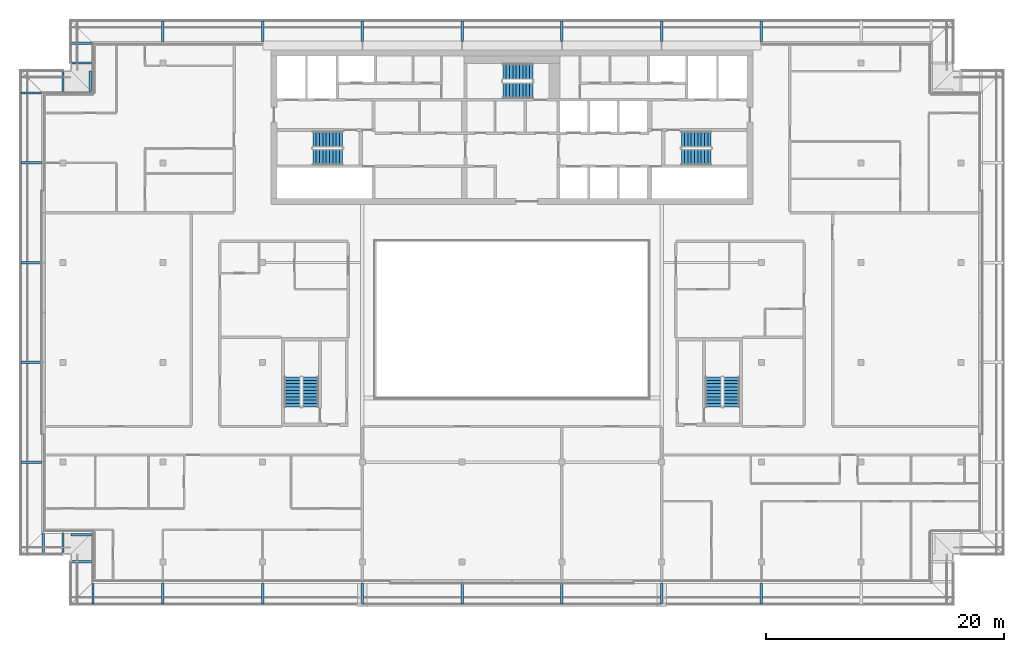
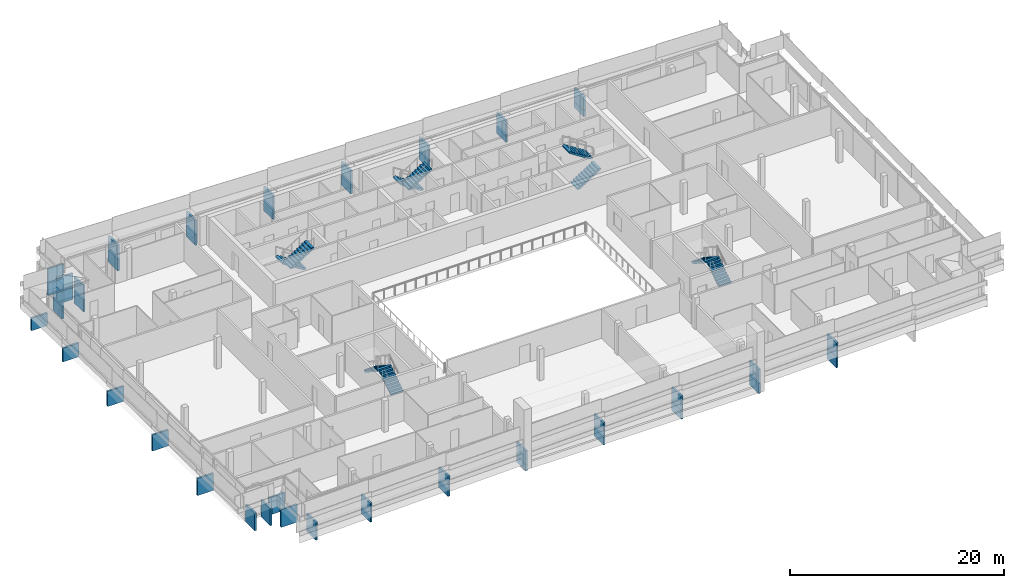
# One storey, part 23 of 33: 47 discrete accessories, 10 stair flights, 5 elements without a shape of their own.
"""IFC4 building model written with IfcOpenShell, lengths in metres."""

from ifc_helpers import new_model, si_unit, direction, frame, origin, origin_2d, place, context, subcontext, project, spatial, polyline, rectangle, outline, extrude, material, type_object, element, aggregate, save


model = new_model("IFC4")

# Units and contexts
model_context = context("Model", 3, precision=1e-05, world=origin(), true_north=direction((0.0, 1.0)))
body_context = subcontext(model_context, "Body", "Model", "MODEL_VIEW")
ifc_project = project(units=[si_unit("LENGTHUNIT", "METRE"), si_unit("AREAUNIT", "SQUARE_METRE"), si_unit("VOLUMEUNIT", "CUBIC_METRE"), si_unit("PLANEANGLEUNIT", "RADIAN"), si_unit("MASSUNIT", "GRAM", prefix="KILO")], contexts=[model_context])

# Site, building, storey
site_placement = place(None, origin())
site = spatial("IfcSite", under=ifc_project, at=site_placement, CompositionType="ELEMENT")
building_placement = place(site_placement, origin())
building = spatial("IfcBuilding", under=site, at=building_placement, Name="Saffron Gate Tower", CompositionType="ELEMENT")
storey_placement = place(building_placement, frame((0.0, 0.0, 263.550048828125)))
storey = spatial("IfcBuildingStorey", under=building, at=storey_placement, Name="L63", CompositionType="ELEMENT", Elevation=263.550048828125)

# Stair, stair flights
ifc_material = material(Name="Concrete C40", Category="concrete")
stair_type = type_object("IfcStairType", Name="ST7 Stair 1350 wide, 20 risers of 180", PredefinedType="HALF_TURN_STAIR", material=ifc_material)
stair_1_placement = place(storey_placement, origin())
stair_1 = element("IfcStair", 1, at=stair_1_placement, inside=storey, type_object=stair_type, Name="L63 Exit stair A", PredefinedType="HALF_TURN_STAIR")
stair_flight_type = type_object("IfcStairFlightType", Name="SF3 Stair flight 1350 wide, riser 180 going 280", PredefinedType="STRAIGHT", material=ifc_material)
stair_flight_1_placement = place(storey_placement, frame((73.35009765625, 67.375, 0.0), z_axis=(0.0, 0.0, 1.0), x_axis=(-1.0, 0.0, 0.0)))
stair_flight_1 = element("IfcStairFlight", 2, at=stair_flight_1_placement, type_object=stair_flight_type, Name="ST-A flight 1", NumberOfRisers=10, NumberOfTreads=9, PredefinedType="STRAIGHT", RiserHeight=0.18, TreadLength=0.28, context=body_context, shape_type="SweptSolid", body=[
    extrude(outline(polyline([(0.0, 0.0), (0.0, 0.179931640625), (0.280029296875, 0.179931640625), (0.280029296875, 0.360107421875), (0.56005859375, 0.360107421875), (0.56005859375, 0.5400390625), (0.840087890625, 0.5400390625), (0.840087890625, 0.719970703125), (1.1201171875, 0.719970703125), (1.1201171875, 0.89990234375), (1.39990234375, 0.89990234375), (1.39990234375, 1.080078125), (1.679931640625, 1.080078125), (1.679931640625, 1.260009765625), (1.9599609375, 1.260009765625), (1.9599609375, 1.43994140625), (2.239990234375, 1.43994140625), (2.239990234375, 1.6201171875), (2.52001953125, 1.6201171875), (2.52001953125, 1.800048828125), (2.52001953125, 1.44189453125), (0.277099609375, 0.0), (0.0, 0.0)])), frame((0.0, 0.675048828125, 0.0), z_axis=(0.0, -1.0, 0.0), x_axis=(1.0, 0.0, 0.0)), (0.0, 0.0, 1.0), 1.35009765625),
])
stair_flight_2_placement = place(storey_placement, frame((70.830078125, 65.875, 1.800048828125), z_axis=(0.0, 0.0, 1.0), x_axis=(1.0, 0.0, 0.0)))
stair_flight_2 = element("IfcStairFlight", 3, at=stair_flight_2_placement, type_object=stair_flight_type, Name="ST-A flight 2", NumberOfRisers=10, NumberOfTreads=9, PredefinedType="STRAIGHT", RiserHeight=0.18, TreadLength=0.28, context=body_context, shape_type="SweptSolid", body=[
    extrude(outline(polyline([(0.0, 0.0), (0.0, 0.179931640625), (0.280029296875, 0.179931640625), (0.280029296875, 0.360107421875), (0.56005859375, 0.360107421875), (0.56005859375, 0.5400390625), (0.840087890625, 0.5400390625), (0.840087890625, 0.719970703125), (1.1201171875, 0.719970703125), (1.1201171875, 0.89990234375), (1.39990234375, 0.89990234375), (1.39990234375, 1.080078125), (1.679931640625, 1.080078125), (1.679931640625, 1.260009765625), (1.9599609375, 1.260009765625), (1.9599609375, 1.43994140625), (2.239990234375, 1.43994140625), (2.239990234375, 1.6201171875), (2.52001953125, 1.6201171875), (2.52001953125, 1.800048828125), (2.52001953125, 1.44189453125), (0.277099609375, 0.0), (0.0, 0.0)])), frame((0.0, 0.675048828125, 0.0), z_axis=(0.0, -1.0, 0.0), x_axis=(1.0, 0.0, 0.0)), (0.0, 0.0, 1.0), 1.35009765625),
])
aggregate(stair_1, [stair_flight_1, stair_flight_2])

stair_2_placement = place(storey_placement, origin())
stair_2 = element("IfcStair", 4, at=stair_2_placement, inside=storey, type_object=stair_type, Name="L63 Exit stair B", PredefinedType="HALF_TURN_STAIR")
stair_flight_3_placement = place(storey_placement, frame((101.85009765625, 65.875, 0.0), z_axis=(0.0, 0.0, 1.0), x_axis=(1.0, 0.0, 0.0)))
stair_flight_3 = element("IfcStairFlight", 5, at=stair_flight_3_placement, type_object=stair_flight_type, Name="ST-B flight 1", NumberOfRisers=10, NumberOfTreads=9, PredefinedType="STRAIGHT", RiserHeight=0.18, TreadLength=0.28, context=body_context, shape_type="SweptSolid", body=[
    extrude(outline(polyline([(0.0, 0.0), (0.0, 0.179931640625), (0.280029296875, 0.179931640625), (0.280029296875, 0.360107421875), (0.56005859375, 0.360107421875), (0.56005859375, 0.5400390625), (0.840087890625, 0.5400390625), (0.840087890625, 0.719970703125), (1.1201171875, 0.719970703125), (1.1201171875, 0.89990234375), (1.39990234375, 0.89990234375), (1.39990234375, 1.080078125), (1.679931640625, 1.080078125), (1.679931640625, 1.260009765625), (1.9599609375, 1.260009765625), (1.9599609375, 1.43994140625), (2.239990234375, 1.43994140625), (2.239990234375, 1.6201171875), (2.52001953125, 1.6201171875), (2.52001953125, 1.800048828125), (2.52001953125, 1.44189453125), (0.277099609375, 0.0), (0.0, 0.0)])), frame((0.0, 0.675048828125, 0.0), z_axis=(0.0, -1.0, 0.0), x_axis=(1.0, 0.0, 0.0)), (0.0, 0.0, 1.0), 1.35009765625),
])
stair_flight_4_placement = place(storey_placement, frame((104.3701171875, 67.375, 1.800048828125), z_axis=(0.0, 0.0, 1.0), x_axis=(-1.0, 0.0, 0.0)))
stair_flight_4 = element("IfcStairFlight", 6, at=stair_flight_4_placement, type_object=stair_flight_type, Name="ST-B flight 2", NumberOfRisers=10, NumberOfTreads=9, PredefinedType="STRAIGHT", RiserHeight=0.18, TreadLength=0.28, context=body_context, shape_type="SweptSolid", body=[
    extrude(outline(polyline([(0.0, 0.0), (0.0, 0.179931640625), (0.280029296875, 0.179931640625), (0.280029296875, 0.360107421875), (0.56005859375, 0.360107421875), (0.56005859375, 0.5400390625), (0.840087890625, 0.5400390625), (0.840087890625, 0.719970703125), (1.1201171875, 0.719970703125), (1.1201171875, 0.89990234375), (1.39990234375, 0.89990234375), (1.39990234375, 1.080078125), (1.679931640625, 1.080078125), (1.679931640625, 1.260009765625), (1.9599609375, 1.260009765625), (1.9599609375, 1.43994140625), (2.239990234375, 1.43994140625), (2.239990234375, 1.6201171875), (2.52001953125, 1.6201171875), (2.52001953125, 1.800048828125), (2.52001953125, 1.44189453125), (0.277099609375, 0.0), (0.0, 0.0)])), frame((0.0, 0.675048828125, 0.0), z_axis=(0.0, -1.0, 0.0), x_axis=(1.0, 0.0, 0.0)), (0.0, 0.0, 1.0), 1.35009765625),
])
aggregate(stair_2, [stair_flight_3, stair_flight_4])

stair_3_placement = place(storey_placement, origin())
stair_3 = element("IfcStair", 7, at=stair_3_placement, inside=storey, type_object=stair_type, Name="L63 Exit stair C", PredefinedType="HALF_TURN_STAIR")
stair_flight_5_placement = place(storey_placement, frame((89.35009765625, 73.074951171875, 0.0), z_axis=(0.0, 0.0, 1.0), x_axis=(-1.0, 0.0, 0.0)))
stair_flight_5 = element("IfcStairFlight", 8, at=stair_flight_5_placement, type_object=stair_flight_type, Name="ST-C flight 1", NumberOfRisers=10, NumberOfTreads=9, PredefinedType="STRAIGHT", RiserHeight=0.18, TreadLength=0.28, context=body_context, shape_type="SweptSolid", body=[
    extrude(outline(polyline([(0.0, 0.0), (0.0, 0.179931640625), (0.280029296875, 0.179931640625), (0.280029296875, 0.360107421875), (0.56005859375, 0.360107421875), (0.56005859375, 0.5400390625), (0.840087890625, 0.5400390625), (0.840087890625, 0.719970703125), (1.1201171875, 0.719970703125), (1.1201171875, 0.89990234375), (1.39990234375, 0.89990234375), (1.39990234375, 1.080078125), (1.679931640625, 1.080078125), (1.679931640625, 1.260009765625), (1.9599609375, 1.260009765625), (1.9599609375, 1.43994140625), (2.239990234375, 1.43994140625), (2.239990234375, 1.6201171875), (2.52001953125, 1.6201171875), (2.52001953125, 1.800048828125), (2.52001953125, 1.44189453125), (0.277099609375, 0.0), (0.0, 0.0)])), frame((0.0, 0.675048828125, 0.0), z_axis=(0.0, -1.0, 0.0), x_axis=(1.0, 0.0, 0.0)), (0.0, 0.0, 1.0), 1.35009765625),
])
stair_flight_6_placement = place(storey_placement, frame((86.830078125, 71.47509765625, 1.800048828125), z_axis=(0.0, 0.0, 1.0), x_axis=(1.0, 0.0, 0.0)))
stair_flight_6 = element("IfcStairFlight", 9, at=stair_flight_6_placement, type_object=stair_flight_type, Name="ST-C flight 2", NumberOfRisers=10, NumberOfTreads=9, PredefinedType="STRAIGHT", RiserHeight=0.18, TreadLength=0.28, context=body_context, shape_type="SweptSolid", body=[
    extrude(outline(polyline([(0.0, 0.0), (0.0, 0.179931640625), (0.280029296875, 0.179931640625), (0.280029296875, 0.360107421875), (0.56005859375, 0.360107421875), (0.56005859375, 0.5400390625), (0.840087890625, 0.5400390625), (0.840087890625, 0.719970703125), (1.1201171875, 0.719970703125), (1.1201171875, 0.89990234375), (1.39990234375, 0.89990234375), (1.39990234375, 1.080078125), (1.679931640625, 1.080078125), (1.679931640625, 1.260009765625), (1.9599609375, 1.260009765625), (1.9599609375, 1.43994140625), (2.239990234375, 1.43994140625), (2.239990234375, 1.6201171875), (2.52001953125, 1.6201171875), (2.52001953125, 1.800048828125), (2.52001953125, 1.44189453125), (0.277099609375, 0.0), (0.0, 0.0)])), frame((0.0, 0.675048828125, 0.0), z_axis=(0.0, -1.0, 0.0), x_axis=(1.0, 0.0, 0.0)), (0.0, 0.0, 1.0), 1.35009765625),
])
aggregate(stair_3, [stair_flight_5, stair_flight_6])

stair_4_placement = place(storey_placement, origin())
stair_4 = element("IfcStair", 10, at=stair_4_placement, inside=storey, type_object=stair_type, Name="L63 Exit stair D", PredefinedType="HALF_TURN_STAIR")
stair_flight_7_placement = place(storey_placement, frame((70.625, 44.85009765625, 0.0), z_axis=(0.0, 0.0, 1.0), x_axis=(0.0, 1.0, 0.0)))
stair_flight_7 = element("IfcStairFlight", 11, at=stair_flight_7_placement, type_object=stair_flight_type, Name="ST-D flight 1", NumberOfRisers=10, NumberOfTreads=9, PredefinedType="STRAIGHT", RiserHeight=0.18, TreadLength=0.28, context=body_context, shape_type="SweptSolid", body=[
    extrude(outline(polyline([(0.0, 0.0), (0.0, 0.179931640625), (0.280029296875, 0.179931640625), (0.280029296875, 0.360107421875), (0.56005859375, 0.360107421875), (0.56005859375, 0.5400390625), (0.840087890625, 0.5400390625), (0.840087890625, 0.719970703125), (1.1201171875, 0.719970703125), (1.1201171875, 0.89990234375), (1.39990234375, 0.89990234375), (1.39990234375, 1.080078125), (1.679931640625, 1.080078125), (1.679931640625, 1.260009765625), (1.9599609375, 1.260009765625), (1.9599609375, 1.43994140625), (2.239990234375, 1.43994140625), (2.239990234375, 1.6201171875), (2.52001953125, 1.6201171875), (2.52001953125, 1.800048828125), (2.52001953125, 1.44189453125), (0.277099609375, 0.0), (0.0, 0.0)])), frame((0.0, 0.675048828125, 0.0), z_axis=(0.0, -1.0, 0.0), x_axis=(1.0, 0.0, 0.0)), (0.0, 0.0, 1.0), 1.35009765625),
])
stair_flight_8_placement = place(storey_placement, frame((69.125, 47.3701171875, 1.800048828125), z_axis=(0.0, 0.0, 1.0), x_axis=(0.0, -1.0, 0.0)))
stair_flight_8 = element("IfcStairFlight", 12, at=stair_flight_8_placement, type_object=stair_flight_type, Name="ST-D flight 2", NumberOfRisers=10, NumberOfTreads=9, PredefinedType="STRAIGHT", RiserHeight=0.18, TreadLength=0.28, context=body_context, shape_type="SweptSolid", body=[
    extrude(outline(polyline([(0.0, 0.0), (0.0, 0.179931640625), (0.280029296875, 0.179931640625), (0.280029296875, 0.360107421875), (0.56005859375, 0.360107421875), (0.56005859375, 0.5400390625), (0.840087890625, 0.5400390625), (0.840087890625, 0.719970703125), (1.1201171875, 0.719970703125), (1.1201171875, 0.89990234375), (1.39990234375, 0.89990234375), (1.39990234375, 1.080078125), (1.679931640625, 1.080078125), (1.679931640625, 1.260009765625), (1.9599609375, 1.260009765625), (1.9599609375, 1.43994140625), (2.239990234375, 1.43994140625), (2.239990234375, 1.6201171875), (2.52001953125, 1.6201171875), (2.52001953125, 1.800048828125), (2.52001953125, 1.44189453125), (0.277099609375, 0.0), (0.0, 0.0)])), frame((0.0, 0.675048828125, 0.0), z_axis=(0.0, -1.0, 0.0), x_axis=(1.0, 0.0, 0.0)), (0.0, 0.0, 1.0), 1.35009765625),
])
aggregate(stair_4, [stair_flight_7, stair_flight_8])

stair_5_placement = place(storey_placement, origin())
stair_5 = element("IfcStair", 13, at=stair_5_placement, inside=storey, type_object=stair_type, Name="L63 Exit stair E", PredefinedType="HALF_TURN_STAIR")
stair_flight_9_placement = place(storey_placement, frame((106.074951171875, 44.85009765625, 0.0), z_axis=(0.0, 0.0, 1.0), x_axis=(0.0, 1.0, 0.0)))
stair_flight_9 = element("IfcStairFlight", 14, at=stair_flight_9_placement, type_object=stair_flight_type, Name="ST-E flight 1", NumberOfRisers=10, NumberOfTreads=9, PredefinedType="STRAIGHT", RiserHeight=0.18, TreadLength=0.28, context=body_context, shape_type="SweptSolid", body=[
    extrude(outline(polyline([(0.0, 0.0), (0.0, 0.179931640625), (0.280029296875, 0.179931640625), (0.280029296875, 0.360107421875), (0.56005859375, 0.360107421875), (0.56005859375, 0.5400390625), (0.840087890625, 0.5400390625), (0.840087890625, 0.719970703125), (1.1201171875, 0.719970703125), (1.1201171875, 0.89990234375), (1.39990234375, 0.89990234375), (1.39990234375, 1.080078125), (1.679931640625, 1.080078125), (1.679931640625, 1.260009765625), (1.9599609375, 1.260009765625), (1.9599609375, 1.43994140625), (2.239990234375, 1.43994140625), (2.239990234375, 1.6201171875), (2.52001953125, 1.6201171875), (2.52001953125, 1.800048828125), (2.52001953125, 1.44189453125), (0.277099609375, 0.0), (0.0, 0.0)])), frame((0.0, 0.675048828125, 0.0), z_axis=(0.0, -1.0, 0.0), x_axis=(1.0, 0.0, 0.0)), (0.0, 0.0, 1.0), 1.35009765625),
])
stair_flight_10_placement = place(storey_placement, frame((104.574951171875, 47.3701171875, 1.800048828125), z_axis=(0.0, 0.0, 1.0), x_axis=(0.0, -1.0, 0.0)))
stair_flight_10 = element("IfcStairFlight", 15, at=stair_flight_10_placement, type_object=stair_flight_type, Name="ST-E flight 2", NumberOfRisers=10, NumberOfTreads=9, PredefinedType="STRAIGHT", RiserHeight=0.18, TreadLength=0.28, context=body_context, shape_type="SweptSolid", body=[
    extrude(outline(polyline([(0.0, 0.0), (0.0, 0.179931640625), (0.280029296875, 0.179931640625), (0.280029296875, 0.360107421875), (0.56005859375, 0.360107421875), (0.56005859375, 0.5400390625), (0.840087890625, 0.5400390625), (0.840087890625, 0.719970703125), (1.1201171875, 0.719970703125), (1.1201171875, 0.89990234375), (1.39990234375, 0.89990234375), (1.39990234375, 1.080078125), (1.679931640625, 1.080078125), (1.679931640625, 1.260009765625), (1.9599609375, 1.260009765625), (1.9599609375, 1.43994140625), (2.239990234375, 1.43994140625), (2.239990234375, 1.6201171875), (2.52001953125, 1.6201171875), (2.52001953125, 1.800048828125), (2.52001953125, 1.44189453125), (0.277099609375, 0.0), (0.0, 0.0)])), frame((0.0, 0.675048828125, 0.0), z_axis=(0.0, -1.0, 0.0), x_axis=(1.0, 0.0, 0.0)), (0.0, 0.0, 1.0), 1.35009765625),
])
aggregate(stair_5, [stair_flight_9, stair_flight_10])

# Discrete accessories
discrete_accessory_1_placement = place(storey_placement, frame((52.320068359375, 29.125, -0.280029296875), z_axis=(0.0, 0.0, 1.0), x_axis=(1.0, 0.0, 0.0)))
element("IfcDiscreteAccessory", 16, at=discrete_accessory_1_placement, inside=storey, Name="LEDGE rib", PredefinedType="BRACKET", context=body_context, shape_type="SweptSolid", body=[
    extrude(rectangle(XDim=0.199951171875, YDim=1.75, at=origin_2d()), origin(), (0.0, 0.0, 1.0), 0.3798828125),
])
discrete_accessory_2_placement = place(storey_placement, frame((58.199951171875, 29.125, -0.280029296875), z_axis=(0.0, 0.0, 1.0), x_axis=(1.0, 0.0, 0.0)))
element("IfcDiscreteAccessory", 17, at=discrete_accessory_2_placement, inside=storey, Name="LEDGE rib", PredefinedType="BRACKET", context=body_context, shape_type="SweptSolid", body=[
    extrude(rectangle(XDim=0.199951171875, YDim=1.75, at=origin_2d()), origin(), (0.0, 0.0, 1.0), 0.552734375),
])
discrete_accessory_3_placement = place(storey_placement, frame((66.60009765625, 29.125, -0.280029296875), z_axis=(0.0, 0.0, 1.0), x_axis=(1.0, 0.0, 0.0)))
element("IfcDiscreteAccessory", 18, at=discrete_accessory_3_placement, inside=storey, Name="LEDGE rib", PredefinedType="BRACKET", context=body_context, shape_type="SweptSolid", body=[
    extrude(rectangle(XDim=0.199951171875, YDim=1.75, at=origin_2d()), origin(), (0.0, 0.0, 1.0), 0.7001953125),
])
discrete_accessory_4_placement = place(storey_placement, frame((75.0, 29.125, -0.27978515625), z_axis=(0.0, 0.0, 1.0), x_axis=(1.0, 0.0, 0.0)))
element("IfcDiscreteAccessory", 19, at=discrete_accessory_4_placement, inside=storey, Name="LEDGE rib", PredefinedType="BRACKET", context=body_context, shape_type="SweptSolid", body=[
    extrude(rectangle(XDim=0.199951171875, YDim=1.75, at=origin_2d()), origin(), (0.0, 0.0, 1.0), 0.683837890625),
])
discrete_accessory_5_placement = place(storey_placement, frame((83.39990234375, 29.125, -0.2802734375), z_axis=(0.0, 0.0, 1.0), x_axis=(1.0, 0.0, 0.0)))
element("IfcDiscreteAccessory", 20, at=discrete_accessory_5_placement, inside=storey, Name="LEDGE rib", PredefinedType="BRACKET", context=body_context, shape_type="SweptSolid", body=[
    extrude(rectangle(XDim=0.199951171875, YDim=1.75, at=origin_2d()), origin(), (0.0, 0.0, 1.0), 0.919677734375),
])
discrete_accessory_6_placement = place(storey_placement, frame((91.800048828125, 29.125, -0.280029296875), z_axis=(0.0, 0.0, 1.0), x_axis=(1.0, 0.0, 0.0)))
element("IfcDiscreteAccessory", 21, at=discrete_accessory_6_placement, inside=storey, Name="LEDGE rib", PredefinedType="BRACKET", context=body_context, shape_type="SweptSolid", body=[
    extrude(rectangle(XDim=0.199951171875, YDim=1.75, at=origin_2d()), origin(), (0.0, 0.0, 1.0), 1.029296875),
])
discrete_accessory_7_placement = place(storey_placement, frame((100.199951171875, 29.125, -0.2802734375), z_axis=(0.0, 0.0, 1.0), x_axis=(1.0, 0.0, 0.0)))
element("IfcDiscreteAccessory", 22, at=discrete_accessory_7_placement, inside=storey, Name="LEDGE rib", PredefinedType="BRACKET", context=body_context, shape_type="SweptSolid", body=[
    extrude(rectangle(XDim=0.199951171875, YDim=1.75, at=origin_2d()), origin(), (0.0, 0.0, 1.0), 1.138916015625),
])
discrete_accessory_8_placement = place(storey_placement, frame((108.60009765625, 29.125, -0.280029296875), z_axis=(0.0, 0.0, 1.0), x_axis=(1.0, 0.0, 0.0)))
element("IfcDiscreteAccessory", 23, at=discrete_accessory_8_placement, inside=storey, Name="LEDGE rib", PredefinedType="BRACKET", context=body_context, shape_type="SweptSolid", body=[
    extrude(rectangle(XDim=0.199951171875, YDim=1.75, at=origin_2d()), origin(), (0.0, 0.0, 1.0), 1.2421875),
])
discrete_accessory_9_placement = place(storey_placement, frame((108.60009765625, 76.47509765625, -0.2802734375), z_axis=(0.0, 0.0, 1.0), x_axis=(-1.0, 0.0, 0.0)))
element("IfcDiscreteAccessory", 24, at=discrete_accessory_9_placement, inside=storey, Name="LEDGE rib", PredefinedType="BRACKET", context=body_context, shape_type="SweptSolid", body=[
    extrude(rectangle(XDim=0.199951171875, YDim=1.75, at=origin_2d()), origin(), (0.0, 0.0, 1.0), 2.329345703125),
])
discrete_accessory_10_placement = place(storey_placement, frame((100.199951171875, 76.47509765625, -0.280029296875), z_axis=(0.0, 0.0, 1.0), x_axis=(-1.0, 0.0, 0.0)))
element("IfcDiscreteAccessory", 25, at=discrete_accessory_10_placement, inside=storey, Name="LEDGE rib", PredefinedType="BRACKET", context=body_context, shape_type="SweptSolid", body=[
    extrude(rectangle(XDim=0.199951171875, YDim=1.75, at=origin_2d()), origin(), (0.0, 0.0, 1.0), 2.43896484375),
])
discrete_accessory_11_placement = place(storey_placement, frame((91.800048828125, 76.47509765625, -0.2802734375), z_axis=(0.0, 0.0, 1.0), x_axis=(-1.0, 0.0, 0.0)))
element("IfcDiscreteAccessory", 26, at=discrete_accessory_11_placement, inside=storey, Name="LEDGE rib", PredefinedType="BRACKET", context=body_context, shape_type="SweptSolid", body=[
    extrude(rectangle(XDim=0.199951171875, YDim=1.75, at=origin_2d()), origin(), (0.0, 0.0, 1.0), 2.548583984375),
])
discrete_accessory_12_placement = place(storey_placement, frame((83.39990234375, 76.47509765625, -0.280029296875), z_axis=(0.0, 0.0, 1.0), x_axis=(-1.0, 0.0, 0.0)))
element("IfcDiscreteAccessory", 27, at=discrete_accessory_12_placement, inside=storey, Name="LEDGE rib", PredefinedType="BRACKET", context=body_context, shape_type="SweptSolid", body=[
    extrude(rectangle(XDim=0.199951171875, YDim=1.75, at=origin_2d()), origin(), (0.0, 0.0, 1.0), 2.658203125),
])
discrete_accessory_13_placement = place(storey_placement, frame((75.0, 76.47509765625, -0.27978515625), z_axis=(0.0, 0.0, 1.0), x_axis=(-1.0, 0.0, 0.0)))
element("IfcDiscreteAccessory", 28, at=discrete_accessory_13_placement, inside=storey, Name="LEDGE rib", PredefinedType="BRACKET", context=body_context, shape_type="SweptSolid", body=[
    extrude(rectangle(XDim=0.199951171875, YDim=1.75, at=origin_2d()), origin(), (0.0, 0.0, 1.0), 2.767822265625),
])
discrete_accessory_14_placement = place(storey_placement, frame((66.60009765625, 76.47509765625, -0.280029296875), z_axis=(0.0, 0.0, 1.0), x_axis=(-1.0, 0.0, 0.0)))
element("IfcDiscreteAccessory", 29, at=discrete_accessory_14_placement, inside=storey, Name="LEDGE rib", PredefinedType="BRACKET", context=body_context, shape_type="SweptSolid", body=[
    extrude(rectangle(XDim=0.199951171875, YDim=1.75, at=origin_2d()), origin(), (0.0, 0.0, 1.0), 2.87744140625),
])
discrete_accessory_15_placement = place(storey_placement, frame((58.199951171875, 76.47509765625, -0.27978515625), z_axis=(0.0, 0.0, 1.0), x_axis=(-1.0, 0.0, 0.0)))
element("IfcDiscreteAccessory", 30, at=discrete_accessory_15_placement, inside=storey, Name="LEDGE rib", PredefinedType="BRACKET", context=body_context, shape_type="SweptSolid", body=[
    extrude(rectangle(XDim=0.199951171875, YDim=1.75, at=origin_2d()), origin(), (0.0, 0.0, 1.0), 2.987060546875),
])
discrete_accessory_16_placement = place(storey_placement, frame((51.324951171875, 75.47998046875, -0.27978515625), z_axis=(0.0, 0.0, 1.0), x_axis=(0.0, -1.0, 0.0)))
element("IfcDiscreteAccessory", 31, at=discrete_accessory_16_placement, inside=storey, Name="LEDGE rib", PredefinedType="BRACKET", context=body_context, shape_type="SweptSolid", body=[
    extrude(rectangle(XDim=0.199951171875, YDim=1.75, at=origin_2d()), origin(), (0.0, 0.0, 1.0), 3.027587890625),
])
discrete_accessory_17_placement = place(storey_placement, frame((51.324951171875, 73.800048828125, -0.2802734375), z_axis=(0.0, 0.0, 1.0), x_axis=(0.0, -1.0, 0.0)))
element("IfcDiscreteAccessory", 32, at=discrete_accessory_17_placement, inside=storey, Name="LEDGE rib", PredefinedType="BRACKET", context=body_context, shape_type="SweptSolid", body=[
    extrude(rectangle(XDim=0.199951171875, YDim=1.75, at=origin_2d()), origin(), (0.0, 0.0, 1.0), 2.985107421875),
])
discrete_accessory_18_placement = place(storey_placement, frame((52.080078125, 72.27490234375, -0.280029296875), z_axis=(0.0, 0.0, 1.0), x_axis=(-1.0, 0.0, 0.0)))
element("IfcDiscreteAccessory", 33, at=discrete_accessory_18_placement, inside=storey, Name="LEDGE rib", PredefinedType="BRACKET", context=body_context, shape_type="SweptSolid", body=[
    extrude(rectangle(XDim=0.199951171875, YDim=1.75, at=origin_2d()), origin(), (0.0, 0.0, 1.0), 3.02587890625),
])
discrete_accessory_19_placement = place(storey_placement, frame((49.800048828125, 72.27490234375, -0.280029296875), z_axis=(0.0, 0.0, 1.0), x_axis=(-1.0, 0.0, 0.0)))
element("IfcDiscreteAccessory", 34, at=discrete_accessory_19_placement, inside=storey, Name="LEDGE rib", PredefinedType="BRACKET", context=body_context, shape_type="SweptSolid", body=[
    extrude(rectangle(XDim=0.199951171875, YDim=1.75, at=origin_2d()), origin(), (0.0, 0.0, 1.0), 3.05712890625),
])
discrete_accessory_20_placement = place(storey_placement, frame((108.60009765625, 76.47509765625, -0.280029296875), z_axis=(0.0, 0.0, 1.0), x_axis=(-1.0, 0.0, 0.0)))
element("IfcDiscreteAccessory", 35, at=discrete_accessory_20_placement, inside=storey, Name="LEDGE rib", PredefinedType="BRACKET", context=body_context, shape_type="SweptSolid", body=[
    extrude(rectangle(XDim=0.199951171875, YDim=1.75, at=origin_2d()), origin(), (0.0, 0.0, 1.0), 0.7001953125),
])
discrete_accessory_21_placement = place(storey_placement, frame((100.199951171875, 76.47509765625, -0.27978515625), z_axis=(0.0, 0.0, 1.0), x_axis=(-1.0, 0.0, 0.0)))
element("IfcDiscreteAccessory", 36, at=discrete_accessory_21_placement, inside=storey, Name="LEDGE rib", PredefinedType="BRACKET", context=body_context, shape_type="SweptSolid", body=[
    extrude(rectangle(XDim=0.199951171875, YDim=1.75, at=origin_2d()), origin(), (0.0, 0.0, 1.0), 0.809814453125),
])
discrete_accessory_22_placement = place(storey_placement, frame((91.800048828125, 76.47509765625, -0.2802734375), z_axis=(0.0, 0.0, 1.0), x_axis=(-1.0, 0.0, 0.0)))
element("IfcDiscreteAccessory", 37, at=discrete_accessory_22_placement, inside=storey, Name="LEDGE rib", PredefinedType="BRACKET", context=body_context, shape_type="SweptSolid", body=[
    extrude(rectangle(XDim=0.199951171875, YDim=1.75, at=origin_2d()), origin(), (0.0, 0.0, 1.0), 0.919677734375),
])
discrete_accessory_23_placement = place(storey_placement, frame((83.39990234375, 76.47509765625, -0.280029296875), z_axis=(0.0, 0.0, 1.0), x_axis=(-1.0, 0.0, 0.0)))
element("IfcDiscreteAccessory", 38, at=discrete_accessory_23_placement, inside=storey, Name="LEDGE rib", PredefinedType="BRACKET", context=body_context, shape_type="SweptSolid", body=[
    extrude(rectangle(XDim=0.199951171875, YDim=1.75, at=origin_2d()), origin(), (0.0, 0.0, 1.0), 1.029296875),
])
discrete_accessory_24_placement = place(storey_placement, frame((75.0, 76.47509765625, -0.2802734375), z_axis=(0.0, 0.0, 1.0), x_axis=(-1.0, 0.0, 0.0)))
element("IfcDiscreteAccessory", 39, at=discrete_accessory_24_placement, inside=storey, Name="LEDGE rib", PredefinedType="BRACKET", context=body_context, shape_type="SweptSolid", body=[
    extrude(rectangle(XDim=0.199951171875, YDim=1.75, at=origin_2d()), origin(), (0.0, 0.0, 1.0), 1.138916015625),
])
discrete_accessory_25_placement = place(storey_placement, frame((66.60009765625, 76.47509765625, -0.280029296875), z_axis=(0.0, 0.0, 1.0), x_axis=(-1.0, 0.0, 0.0)))
element("IfcDiscreteAccessory", 40, at=discrete_accessory_25_placement, inside=storey, Name="LEDGE rib", PredefinedType="BRACKET", context=body_context, shape_type="SweptSolid", body=[
    extrude(rectangle(XDim=0.199951171875, YDim=1.75, at=origin_2d()), origin(), (0.0, 0.0, 1.0), 1.24853515625),
])
discrete_accessory_26_placement = place(storey_placement, frame((58.199951171875, 76.47509765625, -0.2802734375), z_axis=(0.0, 0.0, 1.0), x_axis=(-1.0, 0.0, 0.0)))
element("IfcDiscreteAccessory", 41, at=discrete_accessory_26_placement, inside=storey, Name="LEDGE rib", PredefinedType="BRACKET", context=body_context, shape_type="SweptSolid", body=[
    extrude(rectangle(XDim=0.199951171875, YDim=1.75, at=origin_2d()), origin(), (0.0, 0.0, 1.0), 1.358154296875),
])
discrete_accessory_27_placement = place(storey_placement, frame((51.324951171875, 75.47998046875, -0.2802734375), z_axis=(0.0, 0.0, 1.0), x_axis=(0.0, -1.0, 0.0)))
element("IfcDiscreteAccessory", 42, at=discrete_accessory_27_placement, inside=storey, Name="LEDGE rib", PredefinedType="BRACKET", context=body_context, shape_type="SweptSolid", body=[
    extrude(rectangle(XDim=0.199951171875, YDim=1.75, at=origin_2d()), origin(), (0.0, 0.0, 1.0), 1.398681640625),
])
discrete_accessory_28_placement = place(storey_placement, frame((51.324951171875, 73.800048828125, -0.280029296875), z_axis=(0.0, 0.0, 1.0), x_axis=(0.0, -1.0, 0.0)))
element("IfcDiscreteAccessory", 43, at=discrete_accessory_28_placement, inside=storey, Name="LEDGE rib", PredefinedType="BRACKET", context=body_context, shape_type="SweptSolid", body=[
    extrude(rectangle(XDim=0.199951171875, YDim=1.75, at=origin_2d()), origin(), (0.0, 0.0, 1.0), 1.35595703125),
])
discrete_accessory_29_placement = place(storey_placement, frame((52.080078125, 72.27490234375, -0.27978515625), z_axis=(0.0, 0.0, 1.0), x_axis=(-1.0, 0.0, 0.0)))
element("IfcDiscreteAccessory", 44, at=discrete_accessory_29_placement, inside=storey, Name="LEDGE rib", PredefinedType="BRACKET", context=body_context, shape_type="SweptSolid", body=[
    extrude(rectangle(XDim=0.199951171875, YDim=1.75, at=origin_2d()), origin(), (0.0, 0.0, 1.0), 1.396728515625),
])
discrete_accessory_30_placement = place(storey_placement, frame((49.800048828125, 72.27490234375, -0.280029296875), z_axis=(0.0, 0.0, 1.0), x_axis=(-1.0, 0.0, 0.0)))
element("IfcDiscreteAccessory", 45, at=discrete_accessory_30_placement, inside=storey, Name="LEDGE rib", PredefinedType="BRACKET", context=body_context, shape_type="SweptSolid", body=[
    extrude(rectangle(XDim=0.199951171875, YDim=1.75, at=origin_2d()), origin(), (0.0, 0.0, 1.0), 1.42822265625),
])
discrete_accessory_31_placement = place(storey_placement, frame((47.125, 71.280029296875, -0.2802734375), z_axis=(0.0, 0.0, 1.0), x_axis=(0.0, -1.0, 0.0)))
element("IfcDiscreteAccessory", 46, at=discrete_accessory_31_placement, inside=storey, Name="LEDGE rib", PredefinedType="BRACKET", context=body_context, shape_type="SweptSolid", body=[
    extrude(rectangle(XDim=0.199951171875, YDim=1.75, at=origin_2d()), origin(), (0.0, 0.0, 1.0), 1.442138671875),
])
discrete_accessory_32_placement = place(storey_placement, frame((47.125, 65.39990234375, -0.2802734375), z_axis=(0.0, 0.0, 1.0), x_axis=(0.0, -1.0, 0.0)))
element("IfcDiscreteAccessory", 47, at=discrete_accessory_32_placement, inside=storey, Name="LEDGE rib", PredefinedType="BRACKET", context=body_context, shape_type="SweptSolid", body=[
    extrude(rectangle(XDim=0.199951171875, YDim=1.75, at=origin_2d()), origin(), (0.0, 0.0, 1.0), 1.586669921875),
])
discrete_accessory_33_placement = place(storey_placement, frame((47.125, 57.0, -0.2802734375), z_axis=(0.0, 0.0, 1.0), x_axis=(0.0, -1.0, 0.0)))
element("IfcDiscreteAccessory", 48, at=discrete_accessory_33_placement, inside=storey, Name="LEDGE rib", PredefinedType="BRACKET", context=body_context, shape_type="SweptSolid", body=[
    extrude(rectangle(XDim=0.199951171875, YDim=1.75, at=origin_2d()), origin(), (0.0, 0.0, 1.0), 1.734130859375),
])
discrete_accessory_34_placement = place(storey_placement, frame((47.125, 48.60009765625, -0.280029296875), z_axis=(0.0, 0.0, 1.0), x_axis=(0.0, -1.0, 0.0)))
element("IfcDiscreteAccessory", 49, at=discrete_accessory_34_placement, inside=storey, Name="LEDGE rib", PredefinedType="BRACKET", context=body_context, shape_type="SweptSolid", body=[
    extrude(rectangle(XDim=0.199951171875, YDim=1.75, at=origin_2d()), origin(), (0.0, 0.0, 1.0), 1.84375),
])
discrete_accessory_35_placement = place(storey_placement, frame((47.125, 40.199951171875, -0.2802734375), z_axis=(0.0, 0.0, 1.0), x_axis=(0.0, -1.0, 0.0)))
element("IfcDiscreteAccessory", 50, at=discrete_accessory_35_placement, inside=storey, Name="LEDGE rib", PredefinedType="BRACKET", context=body_context, shape_type="SweptSolid", body=[
    extrude(rectangle(XDim=0.199951171875, YDim=1.75, at=origin_2d()), origin(), (0.0, 0.0, 1.0), 1.953369140625),
])
discrete_accessory_36_placement = place(storey_placement, frame((48.1201171875, 33.324951171875, -0.2802734375), z_axis=(0.0, 0.0, 1.0), x_axis=(1.0, 0.0, 0.0)))
element("IfcDiscreteAccessory", 51, at=discrete_accessory_36_placement, inside=storey, Name="LEDGE rib", PredefinedType="BRACKET", context=body_context, shape_type="SweptSolid", body=[
    extrude(rectangle(XDim=0.199951171875, YDim=1.75, at=origin_2d()), origin(), (0.0, 0.0, 1.0), 1.993896484375),
])
discrete_accessory_37_placement = place(storey_placement, frame((49.800048828125, 33.324951171875, -0.280029296875), z_axis=(0.0, 0.0, 1.0), x_axis=(1.0, 0.0, 0.0)))
element("IfcDiscreteAccessory", 52, at=discrete_accessory_37_placement, inside=storey, Name="LEDGE rib", PredefinedType="BRACKET", context=body_context, shape_type="SweptSolid", body=[
    extrude(rectangle(XDim=0.199951171875, YDim=1.75, at=origin_2d()), origin(), (0.0, 0.0, 1.0), 1.951171875),
])
discrete_accessory_38_placement = place(storey_placement, frame((51.324951171875, 34.080078125, -0.27978515625), z_axis=(0.0, 0.0, 1.0), x_axis=(0.0, -1.0, 0.0)))
element("IfcDiscreteAccessory", 53, at=discrete_accessory_38_placement, inside=storey, Name="LEDGE rib", PredefinedType="BRACKET", context=body_context, shape_type="SweptSolid", body=[
    extrude(rectangle(XDim=0.199951171875, YDim=1.75, at=origin_2d()), origin(), (0.0, 0.0, 1.0), 1.991943359375),
])
discrete_accessory_39_placement = place(storey_placement, frame((51.324951171875, 31.800048828125, -0.280029296875), z_axis=(0.0, 0.0, 1.0), x_axis=(0.0, -1.0, 0.0)))
element("IfcDiscreteAccessory", 54, at=discrete_accessory_39_placement, inside=storey, Name="LEDGE rib", PredefinedType="BRACKET", context=body_context, shape_type="SweptSolid", body=[
    extrude(rectangle(XDim=0.199951171875, YDim=1.75, at=origin_2d()), origin(), (0.0, 0.0, 1.0), 2.0234375),
])
discrete_accessory_40_placement = place(storey_placement, frame((52.320068359375, 29.125, -0.2802734375), z_axis=(0.0, 0.0, 1.0), x_axis=(1.0, 0.0, 0.0)))
element("IfcDiscreteAccessory", 55, at=discrete_accessory_40_placement, inside=storey, Name="LEDGE rib", PredefinedType="BRACKET", context=body_context, shape_type="SweptSolid", body=[
    extrude(rectangle(XDim=0.199951171875, YDim=1.75, at=origin_2d()), origin(), (0.0, 0.0, 1.0), 2.037353515625),
])
discrete_accessory_41_placement = place(storey_placement, frame((58.199951171875, 29.125, -0.2802734375), z_axis=(0.0, 0.0, 1.0), x_axis=(1.0, 0.0, 0.0)))
element("IfcDiscreteAccessory", 56, at=discrete_accessory_41_placement, inside=storey, Name="LEDGE rib", PredefinedType="BRACKET", context=body_context, shape_type="SweptSolid", body=[
    extrude(rectangle(XDim=0.199951171875, YDim=1.75, at=origin_2d()), origin(), (0.0, 0.0, 1.0), 2.181884765625),
])
discrete_accessory_42_placement = place(storey_placement, frame((66.60009765625, 29.125, -0.2802734375), z_axis=(0.0, 0.0, 1.0), x_axis=(1.0, 0.0, 0.0)))
element("IfcDiscreteAccessory", 57, at=discrete_accessory_42_placement, inside=storey, Name="LEDGE rib", PredefinedType="BRACKET", context=body_context, shape_type="SweptSolid", body=[
    extrude(rectangle(XDim=0.199951171875, YDim=1.75, at=origin_2d()), origin(), (0.0, 0.0, 1.0), 2.329345703125),
])
discrete_accessory_43_placement = place(storey_placement, frame((75.0, 29.125, -0.280029296875), z_axis=(0.0, 0.0, 1.0), x_axis=(1.0, 0.0, 0.0)))
element("IfcDiscreteAccessory", 58, at=discrete_accessory_43_placement, inside=storey, Name="LEDGE rib", PredefinedType="BRACKET", context=body_context, shape_type="SweptSolid", body=[
    extrude(rectangle(XDim=0.199951171875, YDim=1.75, at=origin_2d()), origin(), (0.0, 0.0, 1.0), 2.31298828125),
])
discrete_accessory_44_placement = place(storey_placement, frame((83.39990234375, 29.125, -0.2802734375), z_axis=(0.0, 0.0, 1.0), x_axis=(1.0, 0.0, 0.0)))
element("IfcDiscreteAccessory", 59, at=discrete_accessory_44_placement, inside=storey, Name="LEDGE rib", PredefinedType="BRACKET", context=body_context, shape_type="SweptSolid", body=[
    extrude(rectangle(XDim=0.199951171875, YDim=1.75, at=origin_2d()), origin(), (0.0, 0.0, 1.0), 2.548583984375),
])
discrete_accessory_45_placement = place(storey_placement, frame((91.800048828125, 29.125, -0.280029296875), z_axis=(0.0, 0.0, 1.0), x_axis=(1.0, 0.0, 0.0)))
element("IfcDiscreteAccessory", 60, at=discrete_accessory_45_placement, inside=storey, Name="LEDGE rib", PredefinedType="BRACKET", context=body_context, shape_type="SweptSolid", body=[
    extrude(rectangle(XDim=0.199951171875, YDim=1.75, at=origin_2d()), origin(), (0.0, 0.0, 1.0), 2.658203125),
])
discrete_accessory_46_placement = place(storey_placement, frame((100.199951171875, 29.125, -0.27978515625), z_axis=(0.0, 0.0, 1.0), x_axis=(1.0, 0.0, 0.0)))
element("IfcDiscreteAccessory", 61, at=discrete_accessory_46_placement, inside=storey, Name="LEDGE rib", PredefinedType="BRACKET", context=body_context, shape_type="SweptSolid", body=[
    extrude(rectangle(XDim=0.199951171875, YDim=1.75, at=origin_2d()), origin(), (0.0, 0.0, 1.0), 2.767822265625),
])
discrete_accessory_47_placement = place(storey_placement, frame((108.60009765625, 29.125, -0.2802734375), z_axis=(0.0, 0.0, 1.0), x_axis=(1.0, 0.0, 0.0)))
element("IfcDiscreteAccessory", 62, at=discrete_accessory_47_placement, inside=storey, Name="LEDGE rib", PredefinedType="BRACKET", context=body_context, shape_type="SweptSolid", body=[
    extrude(rectangle(XDim=0.199951171875, YDim=1.75, at=origin_2d()), origin(), (0.0, 0.0, 1.0), 2.871337890625),
])

save(model, "model.ifc")
